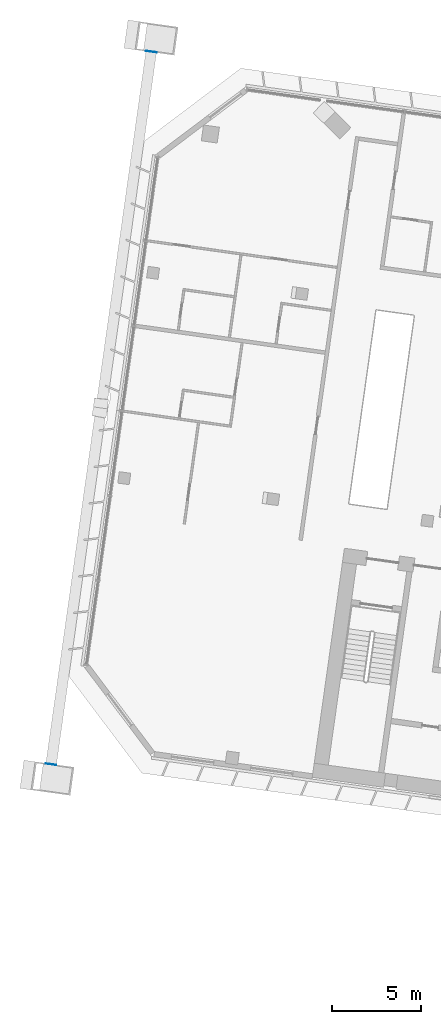
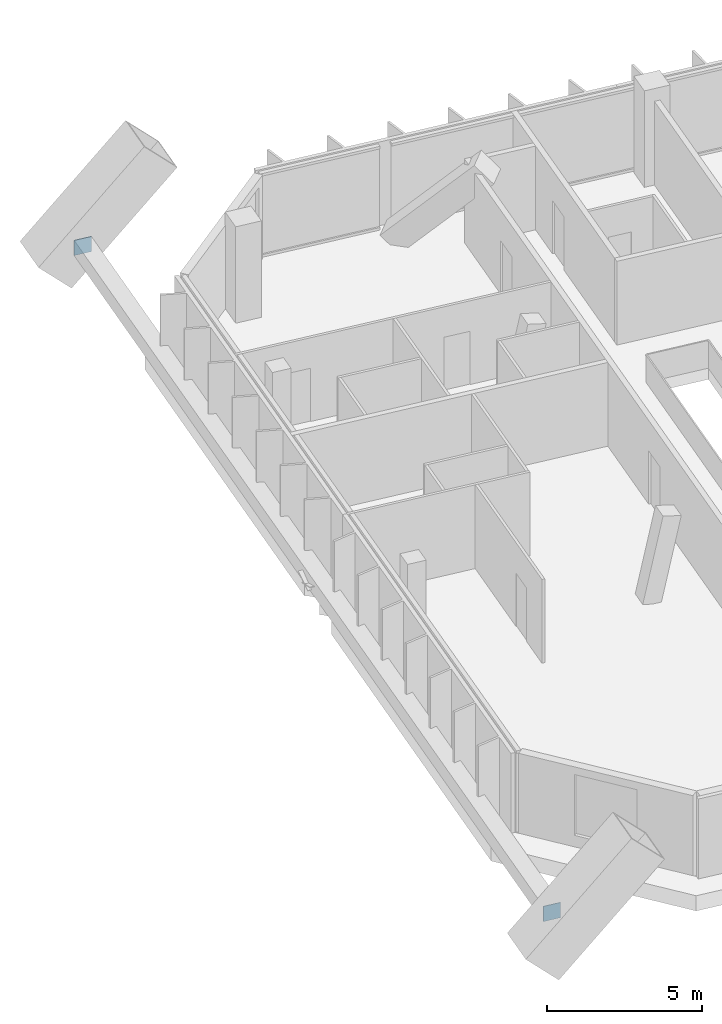
# One storey, part 30 of 34: 2 discrete accessories.
"""IFC4 building model written with IfcOpenShell, lengths in metres."""

from ifc_helpers import new_model, si_unit, direction, frame, origin, origin_2d, place, context, subcontext, project, spatial, rectangle, extrude, material, material_profile, profile_set, type_object, element, save


model = new_model("IFC4")

# Units and contexts
model_context = context("Model", 3, precision=1e-05, world=origin(), true_north=direction((0.0, 1.0)))
body_context = subcontext(model_context, "Body", "Model", "MODEL_VIEW")
ifc_project = project(units=[si_unit("LENGTHUNIT", "METRE"), si_unit("AREAUNIT", "SQUARE_METRE"), si_unit("VOLUMEUNIT", "CUBIC_METRE"), si_unit("PLANEANGLEUNIT", "RADIAN"), si_unit("MASSUNIT", "GRAM", prefix="KILO")], contexts=[model_context])

# Site, building, storey
site_placement = place(None, origin())
site = spatial("IfcSite", under=ifc_project, at=site_placement, CompositionType="ELEMENT")
building_placement = place(site_placement, origin())
building = spatial("IfcBuilding", under=site, at=building_placement, Name="Mirante Cascada Hotel Towers", CompositionType="ELEMENT")
storey_placement = place(building_placement, frame((0.0, 0.0, 148.1)))
storey = spatial("IfcBuildingStorey", under=building, at=storey_placement, Name="L34", CompositionType="ELEMENT", Elevation=148.1)

# Discrete accessories
ifc_material = material(Name="Steel ASTM A572 Gr 50", Category="steel")
ifc_material_profile = material_profile(ifc_material, rectangle(XDim=0.6, YDim=0.6, at=origin_2d()), Name="Connection plate 600x600x25 ASTM A572 Gr 50")
ifc_profile_set = profile_set([ifc_material_profile], Name="Steel ASTM A572 Gr 50")
discrete_accessory_type = type_object("IfcDiscreteAccessoryType", Name="Connection plate 600x600x25 ASTM A572 Gr 50", PredefinedType="BRACKET", material=ifc_profile_set)
discrete_accessory_1_placement = place(storey_placement, frame((-105.1373, -11.8715, 1.0), z_axis=(0.1358263, 0.9907327, 0.0), x_axis=(-0.9907327, 0.1358263, 0.0)))
element("IfcDiscreteAccessory", 1, at=discrete_accessory_1_placement, inside=storey, type_object=discrete_accessory_type, Name="Connection plate NCH", PredefinedType="BRACKET", context=body_context, shape_type="SweptSolid", body=[
    extrude(rectangle(XDim=0.6, YDim=0.6, at=origin_2d()), origin(), (0.0, 0.0, 1.0), 0.025),
])
discrete_accessory_2_placement = place(storey_placement, frame((-99.5092, 28.175, 1.0), z_axis=(0.1402989, 0.9901092, 0.0), x_axis=(-0.9901092, 0.1402989, 0.0)))
element("IfcDiscreteAccessory", 2, at=discrete_accessory_2_placement, inside=storey, type_object=discrete_accessory_type, Name="Connection plate NCH", PredefinedType="BRACKET", context=body_context, shape_type="SweptSolid", body=[
    extrude(rectangle(XDim=0.6, YDim=0.6, at=origin_2d()), origin(), (0.0, 0.0, 1.0), 0.0249),
])

save(model, "model.ifc")
